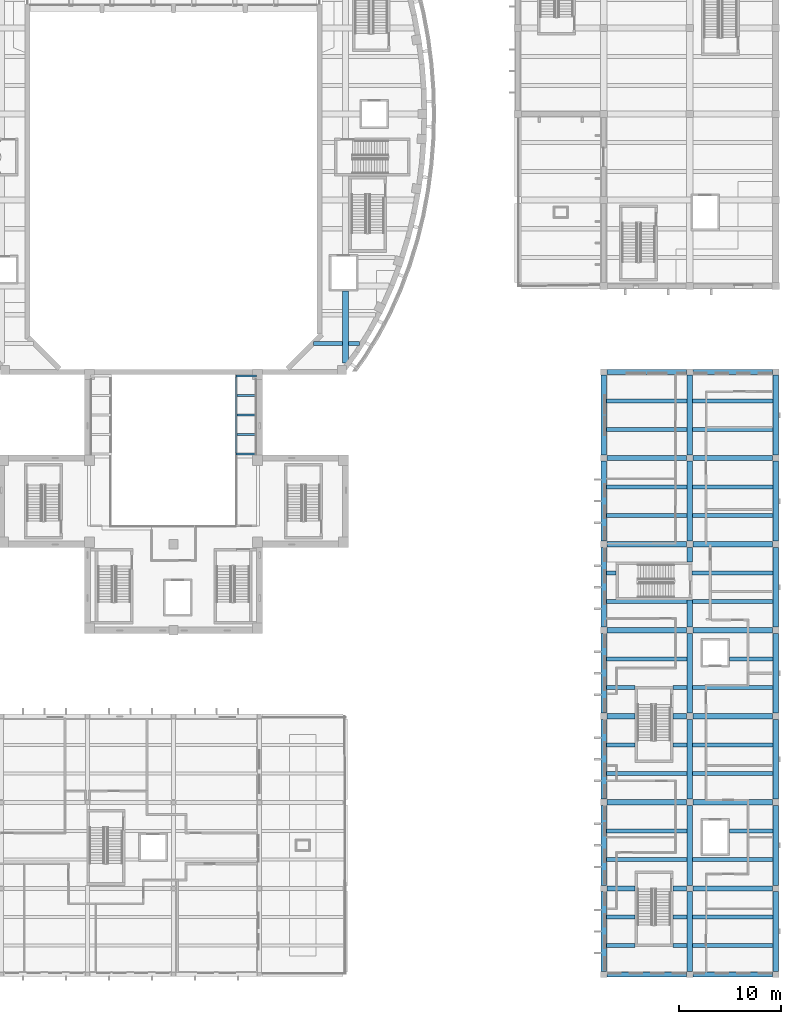
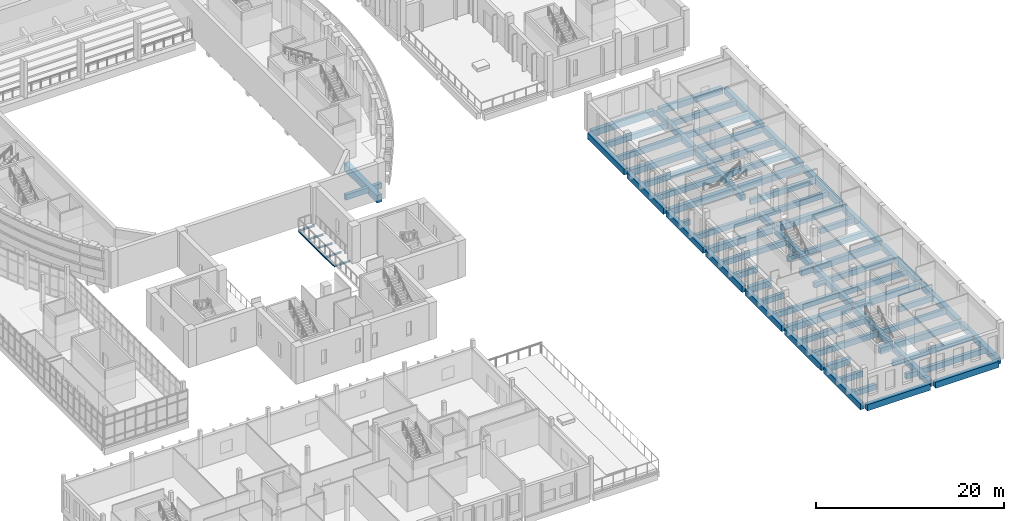
# One storey, part 9 of 103: 81 beams.
"""IFC4 building model written with IfcOpenShell, lengths in metres."""

import ifcopenshell
import ifcopenshell.guid

model = None  # the IFC model being written
_history = None  # IfcOwnerHistory: only IFC2X3 demands one
_inside = {}  # id of a spatial element -> (the spatial element, [elements in it])
_under = {}  # id of a project, library or spatial element -> (it, [spatial elements below it])
_declared = {}  # id of a project -> (the project, [libraries it declares])
_typed = {}  # id of a type object -> (the type object, [elements of that type])
_made_of = {}  # id of a material, layer set ... -> (it, [elements and type objects made of it])


def new_model(schema):
    """Start an empty IFC model of exactly this schema.

    Asked for "IFC4X3", IfcOpenShell would pick the latest addendum, in which some entities
    have other attributes; the version numbers below select the first issue.
    IFC2X3 requires an IfcOwnerHistory on every rooted entity: one is made here for all.
    """
    global model, _history
    if schema == "IFC4X3":
        model = ifcopenshell.file(schema_version=(4, 3, 0, 0))
    else:
        model = ifcopenshell.file(schema=schema)
    _inside.clear()
    _under.clear()
    _declared.clear()
    _typed.clear()
    _made_of.clear()
    _history = None
    if model.schema == "IFC2X3":
        org = make("IfcOrganization", Name="unknown")
        user = make(
            "IfcPersonAndOrganization",
            ThePerson=make("IfcPerson", FamilyName="unknown"),
            TheOrganization=org,
        )
        app = make(
            "IfcApplication",
            ApplicationDeveloper=org,
            Version="unknown",
            ApplicationFullName="unknown",
            ApplicationIdentifier="unknown",
        )
        _history = make(
            "IfcOwnerHistory",
            OwningUser=user,
            OwningApplication=app,
            ChangeAction="ADDED",
            CreationDate=0,
        )
    return model


def make(cls, **values):
    """One entity of the class cls with the attributes given. An attribute that is None is left unset."""
    return model.create_entity(
        cls, **{name: value for name, value in values.items() if value is not None}
    )


def rooted(cls, **values):
    """An entity with a GlobalId (a new one), such as an element, a storey or a relation."""
    return make(cls, GlobalId=ifcopenshell.guid.new(), OwnerHistory=_history, **values)


def si_unit(unit_type, name, prefix=None):
    """IfcSIUnit, for example si_unit("LENGTHUNIT", "METRE", prefix="MILLI")."""
    return make("IfcSIUnit", UnitType=unit_type, Prefix=prefix, Name=name)


def assignment(units):
    """IfcUnitAssignment: the units of a project."""
    return None if units is None else make("IfcUnitAssignment", Units=units)


def point(xyz):
    """IfcCartesianPoint."""
    return None if xyz is None else make("IfcCartesianPoint", Coordinates=xyz)


def direction(xyz):
    """IfcDirection."""
    return None if xyz is None else make("IfcDirection", DirectionRatios=xyz)


def frame(location, z_axis=None, x_axis=None):
    """IfcAxis2Placement3D, a coordinate frame: its origin and axes. An axis left out is left unset."""
    return make(
        "IfcAxis2Placement3D",
        Location=point(location),
        Axis=direction(z_axis),
        RefDirection=direction(x_axis),
    )


def frame_2d(location, x_axis=None):
    """IfcAxis2Placement2D, a coordinate frame in the plane: its origin and x axis."""
    return make(
        "IfcAxis2Placement2D", Location=point(location), RefDirection=direction(x_axis)
    )


def origin():
    """The frame at (0, 0, 0) with its axes left unset."""
    return frame((0.0, 0.0, 0.0))


def origin_2d():
    """The frame at (0, 0) in the plane with its x axis left unset."""
    return frame_2d((0.0, 0.0))


def place(relative_to, where):
    """IfcLocalPlacement: puts the frame where relative to a parent placement (None: the world)."""
    return make(
        "IfcLocalPlacement", PlacementRelTo=relative_to, RelativePlacement=where
    )


def context(
    kind, dimensions, precision=None, world=None, true_north=None, identifier=None
):
    """IfcGeometricRepresentationContext, for example the 3D "Model" context."""
    return make(
        "IfcGeometricRepresentationContext",
        ContextIdentifier=identifier,
        ContextType=kind,
        CoordinateSpaceDimension=dimensions,
        Precision=precision,
        WorldCoordinateSystem=world,
        TrueNorth=true_north,
    )


def subcontext(parent, identifier, kind, view, scale=None):
    """IfcGeometricRepresentationSubContext, for example "Body" below "Model"."""
    return make(
        "IfcGeometricRepresentationSubContext",
        ContextIdentifier=identifier,
        ContextType=kind,
        ParentContext=parent,
        TargetScale=scale,
        TargetView=view,
    )


def project(units=None, contexts=None):
    """IfcProject with its units and contexts."""
    return rooted(
        "IfcProject",
        Name="project",
        RepresentationContexts=contexts,
        UnitsInContext=assignment(units),
    )


def spatial(cls, under=None, at=None, **own):
    """A site, building, storey or space (cls), placed at a placement, below another one or the project."""
    s = rooted(cls, ObjectPlacement=at, **own)
    if under is not None:
        _under.setdefault(under.id(), (under, []))[1].append(s)
    return s


def profile(cls, at=None, kind="AREA", **sizes):
    """A parametric profile (cls). Its sizes go by their IFC names, for example OverallWidth=200.0."""
    return make(cls, ProfileType=kind, Position=at, **sizes)


def rectangle(**sizes):
    """IfcRectangleProfileDef."""
    return profile("IfcRectangleProfileDef", **sizes)


def i_section(**sizes):
    """IfcIShapeProfileDef."""
    return profile("IfcIShapeProfileDef", **sizes)


def extrude(swept, where, along, depth):
    """IfcExtrudedAreaSolid: the profile swept, set in the frame where, extruded along a direction by depth."""
    return make(
        "IfcExtrudedAreaSolid",
        SweptArea=swept,
        Position=where,
        ExtrudedDirection=direction(along),
        Depth=depth,
    )


def shape(context_of_items, identifier, shape_type, items):
    """IfcShapeRepresentation: the items that make up one representation, for example the "Body"."""
    return make(
        "IfcShapeRepresentation",
        ContextOfItems=context_of_items,
        RepresentationIdentifier=identifier,
        RepresentationType=shape_type,
        Items=items,
    )


def material(Name=None, Category=None):
    """IfcMaterial."""
    return make("IfcMaterial", Name=Name, Category=Category)


def material_profile(
    of_material, cross_section, Name=None, Category=None, Priority=None
):
    """IfcMaterialProfile: a cross section and its material."""
    return make(
        "IfcMaterialProfile",
        Name=Name,
        Material=of_material,
        Profile=cross_section,
        Priority=Priority,
        Category=Category,
    )


def profile_set(profiles, Name=None, composite=None):
    """IfcMaterialProfileSet."""
    return make(
        "IfcMaterialProfileSet",
        Name=Name,
        MaterialProfiles=profiles,
        CompositeProfile=composite,
    )


def made_of(thing, what):
    """Note that an element or type object is made of a material, layer set ...; save() writes the relation."""
    if what is not None:
        _made_of.setdefault(what.id(), (what, []))[1].append(thing)
    return thing


def type_object(cls, material=None, **own):
    """A type object (cls), such as IfcWallType, which elements share."""
    return made_of(rooted(cls, **own), material)


def element(
    cls,
    number,
    at=None,
    inside=None,
    cuts=None,
    type_object=None,
    material=None,
    context=None,
    identifier="Body",
    shape_type=None,
    held_by="IfcProductDefinitionShape",
    body=None,
    shapes=None,
    **own,
):
    """One element of the class cls, such as IfcWall. Its Tag is "e" and its number.

    at: its placement. inside: the storey or other place that contains it. cuts: it is an
    opening in that element (IfcRelVoidsElement). A single representation is given by context,
    identifier, shape_type and body (its items); several are given by shapes. held_by: the class
    of the entity that holds the representations. save() writes the other relations.
    """
    e = rooted(cls, Tag="e%d" % number, ObjectPlacement=at, **own)
    if body is not None:
        shapes = [shape(context, identifier, shape_type, body)]
    if shapes is not None:
        e.Representation = make(held_by, Representations=shapes)
    if inside is not None:
        _inside.setdefault(inside.id(), (inside, []))[1].append(e)
    if cuts is not None:
        rooted(
            "IfcRelVoidsElement", RelatingBuildingElement=cuts, RelatedOpeningElement=e
        )
    if type_object is not None:
        _typed.setdefault(type_object.id(), (type_object, []))[1].append(e)
    return made_of(e, material)


def aggregate(whole, parts):
    """IfcRelAggregates: a whole, such as a stair, and the parts it consists of."""
    return rooted("IfcRelAggregates", RelatingObject=whole, RelatedObjects=parts)


def save(model, path):
    """Write the relations noted so far, then the file.

    IfcRelAggregates (storeys below a building ...), IfcRelContainedInSpatialStructure (elements
    in a storey), IfcRelDefinesByType, IfcRelAssociatesMaterial and IfcRelDeclares: one each for
    every whole, place, type object, material and project.
    """
    for whole, parts in _under.values():
        aggregate(whole, parts)
    for where, things in _inside.values():
        rooted(
            "IfcRelContainedInSpatialStructure",
            RelatedElements=things,
            RelatingStructure=where,
        )
    for kind, things in _typed.values():
        rooted("IfcRelDefinesByType", RelatedObjects=things, RelatingType=kind)
    for what, things in _made_of.values():
        rooted("IfcRelAssociatesMaterial", RelatedObjects=things, RelatingMaterial=what)
    for by, libraries in _declared.values():
        rooted("IfcRelDeclares", RelatingContext=by, RelatedDefinitions=libraries)
    model.write(path)


model = new_model("IFC4")

# Units and contexts
model_context = context("Model", 3, precision=1e-05, world=origin(), true_north=direction((0.0, 1.0)))
body_context = subcontext(model_context, "Body", "Model", "MODEL_VIEW")
ifc_project = project(units=[si_unit("LENGTHUNIT", "METRE"), si_unit("AREAUNIT", "SQUARE_METRE"), si_unit("VOLUMEUNIT", "CUBIC_METRE"), si_unit("PLANEANGLEUNIT", "RADIAN"), si_unit("MASSUNIT", "GRAM", prefix="KILO")], contexts=[model_context])

# Site, building, storey
site_placement = place(None, origin())
site = spatial("IfcSite", under=ifc_project, at=site_placement, CompositionType="ELEMENT")
building_placement = place(site_placement, origin())
building = spatial("IfcBuilding", under=site, at=building_placement, Name="Larchfold Concert Hall", CompositionType="ELEMENT")
storey_placement = place(building_placement, frame((0.0, 0.0, 9.60009765625)))
storey = spatial("IfcBuildingStorey", under=building, at=storey_placement, Name="L02", CompositionType="ELEMENT", Elevation=9.60009765625)

# Beams
ifc_material_1 = material(Name="Concrete C35/45", Category="concrete")
ifc_material_profile_1 = material_profile(ifc_material_1, rectangle(XDim=0.39990234375, YDim=0.699951171875, at=origin_2d()))
ifc_profile_set_1 = profile_set([ifc_material_profile_1], Name="Concrete C35/45")
beam_type_1 = type_object("IfcBeamType", Name="Beam RC 400x700", PredefinedType="BEAM", material=ifc_profile_set_1)
beam_1_placement = place(storey_placement, frame((84.85009765625, 3.39990234375, -0.510009765625), z_axis=(1.0, 0.0, 0.0), x_axis=(0.0, 1.0, 0.0)))
element("IfcBeam", 1, at=beam_1_placement, inside=storey, type_object=beam_type_1, Name="Beam B0626", PredefinedType="BEAM", context=body_context, shape_type="SweptSolid", body=[
    extrude(rectangle(XDim=0.39990234375, YDim=0.699951171875, at=origin_2d()), origin(), (0.0, 0.0, 1.0), 2.7998046875),
])
beam_2_placement = place(storey_placement, frame((91.35009765625, 3.39990234375, -0.510009765625), z_axis=(1.0, 0.0, 0.0), x_axis=(0.0, 1.0, 0.0)))
element("IfcBeam", 2, at=beam_2_placement, inside=storey, type_object=beam_type_1, Name="Beam B0627", PredefinedType="BEAM", context=body_context, shape_type="SweptSolid", body=[
    extrude(rectangle(XDim=0.39990234375, YDim=0.699951171875, at=origin_2d()), origin(), (0.0, 0.0, 1.0), 1.39990234375),
])
beam_3_placement = place(storey_placement, frame((93.25, 3.39990234375, -0.510009765625), z_axis=(1.0, 0.0, 0.0), x_axis=(0.0, 1.0, 0.0)))
element("IfcBeam", 3, at=beam_3_placement, inside=storey, type_object=beam_type_1, Name="Beam B0628", PredefinedType="BEAM", context=body_context, shape_type="SweptSolid", body=[
    extrude(rectangle(XDim=0.39990234375, YDim=0.699951171875, at=origin_2d()), origin(), (0.0, 0.0, 1.0), 7.89990234375),
])
beam_4_placement = place(storey_placement, frame((84.85009765625, 6.199951171875, -0.510009765625), z_axis=(1.0, 0.0, 0.0), x_axis=(0.0, 1.0, 0.0)))
element("IfcBeam", 4, at=beam_4_placement, inside=storey, type_object=beam_type_1, Name="Beam B0629", PredefinedType="BEAM", context=body_context, shape_type="SweptSolid", body=[
    extrude(rectangle(XDim=0.39990234375, YDim=0.699951171875, at=origin_2d()), origin(), (0.0, 0.0, 1.0), 2.7998046875),
])
beam_5_placement = place(storey_placement, frame((91.35009765625, 6.199951171875, -0.510009765625), z_axis=(1.0, 0.0, 0.0), x_axis=(0.0, 1.0, 0.0)))
element("IfcBeam", 5, at=beam_5_placement, inside=storey, type_object=beam_type_1, Name="Beam B0630", PredefinedType="BEAM", context=body_context, shape_type="SweptSolid", body=[
    extrude(rectangle(XDim=0.39990234375, YDim=0.699951171875, at=origin_2d()), origin(), (0.0, 0.0, 1.0), 1.39990234375),
])
for number, where, z_axis, x_axis, name in (
    (6, (93.25, 6.199951171875, -0.510009765625), (1.0, 0.0, 0.0), (0.0, 1.0, 0.0), "Beam B0631"),
    (7, (84.85009765625, 11.800048828125, -0.510009765625), (1.0, 0.0, 0.0), (0.0, 1.0, 0.0), "Beam B0632"),
    (8, (93.25, 11.800048828125, -0.510009765625), (1.0, 0.0, 0.0), (0.0, 1.0, 0.0), "Beam B0633"),
    (9, (84.85009765625, 14.60009765625, -0.510009765625), (1.0, 0.0, 0.0), (0.0, 1.0, 0.0), "Beam B0634"),
):
    element("IfcBeam", number, at=place(storey_placement, frame(where, z_axis=z_axis, x_axis=x_axis)), inside=storey, type_object=beam_type_1, Name=name, PredefinedType="BEAM", context=body_context, shape_type="SweptSolid", body=[
        extrude(rectangle(XDim=0.39990234375, YDim=0.699951171875, at=origin_2d()), origin(), (0.0, 0.0, 1.0), 7.89990234375),
    ])
beam_6_placement = place(storey_placement, frame((96.89990234375, 14.60009765625, -0.510009765625), z_axis=(1.0, 0.0, 0.0), x_axis=(0.0, 1.0, 0.0)))
element("IfcBeam", 10, at=beam_6_placement, inside=storey, type_object=beam_type_1, Name="Beam B0635", PredefinedType="BEAM", context=body_context, shape_type="SweptSolid", body=[
    extrude(rectangle(XDim=0.39990234375, YDim=0.699951171875, at=origin_2d()), origin(), (0.0, 0.0, 1.0), 4.25),
])
for number, where, z_axis, x_axis, name in (
    (11, (84.85009765625, 20.199951171875, -0.510009765625), (1.0, 0.0, 0.0), (0.0, 1.0, 0.0), "Beam B0636"),
    (12, (93.25, 20.199951171875, -0.510009765625), (1.0, 0.0, 0.0), (0.0, 1.0, 0.0), "Beam B0637"),
):
    element("IfcBeam", number, at=place(storey_placement, frame(where, z_axis=z_axis, x_axis=x_axis)), inside=storey, type_object=beam_type_1, Name=name, PredefinedType="BEAM", context=body_context, shape_type="SweptSolid", body=[
        extrude(rectangle(XDim=0.39990234375, YDim=0.699951171875, at=origin_2d()), origin(), (0.0, 0.0, 1.0), 7.89990234375),
    ])
beam_7_placement = place(storey_placement, frame((84.85009765625, 23.0, -0.510009765625), z_axis=(1.0, 0.0, 0.0), x_axis=(0.0, 1.0, 0.0)))
element("IfcBeam", 13, at=beam_7_placement, inside=storey, type_object=beam_type_1, Name="Beam B0638", PredefinedType="BEAM", context=body_context, shape_type="SweptSolid", body=[
    extrude(rectangle(XDim=0.39990234375, YDim=0.699951171875, at=origin_2d()), origin(), (0.0, 0.0, 1.0), 2.7998046875),
])
beam_8_placement = place(storey_placement, frame((91.35009765625, 23.0, -0.510009765625), z_axis=(1.0, 0.0, 0.0), x_axis=(0.0, 1.0, 0.0)))
element("IfcBeam", 14, at=beam_8_placement, inside=storey, type_object=beam_type_1, Name="Beam B0639", PredefinedType="BEAM", context=body_context, shape_type="SweptSolid", body=[
    extrude(rectangle(XDim=0.39990234375, YDim=0.699951171875, at=origin_2d()), origin(), (0.0, 0.0, 1.0), 1.39990234375),
])
beam_9_placement = place(storey_placement, frame((93.25, 23.0, -0.510009765625), z_axis=(1.0, 0.0, 0.0), x_axis=(0.0, 1.0, 0.0)))
element("IfcBeam", 15, at=beam_9_placement, inside=storey, type_object=beam_type_1, Name="Beam B0640", PredefinedType="BEAM", context=body_context, shape_type="SweptSolid", body=[
    extrude(rectangle(XDim=0.39990234375, YDim=0.699951171875, at=origin_2d()), origin(), (0.0, 0.0, 1.0), 7.89990234375),
])
beam_10_placement = place(storey_placement, frame((84.85009765625, 28.60009765625, -0.510009765625), z_axis=(1.0, 0.0, 0.0), x_axis=(0.0, 1.0, 0.0)))
element("IfcBeam", 16, at=beam_10_placement, inside=storey, type_object=beam_type_1, Name="Beam B0641", PredefinedType="BEAM", context=body_context, shape_type="SweptSolid", body=[
    extrude(rectangle(XDim=0.39990234375, YDim=0.699951171875, at=origin_2d()), origin(), (0.0, 0.0, 1.0), 2.7998046875),
])
beam_11_placement = place(storey_placement, frame((91.35009765625, 28.60009765625, -0.510009765625), z_axis=(1.0, 0.0, 0.0), x_axis=(0.0, 1.0, 0.0)))
element("IfcBeam", 17, at=beam_11_placement, inside=storey, type_object=beam_type_1, Name="Beam B0642", PredefinedType="BEAM", context=body_context, shape_type="SweptSolid", body=[
    extrude(rectangle(XDim=0.39990234375, YDim=0.699951171875, at=origin_2d()), origin(), (0.0, 0.0, 1.0), 1.39990234375),
])
for number, where, z_axis, x_axis, name in (
    (18, (93.25, 28.60009765625, -0.510009765625), (1.0, 0.0, 0.0), (0.0, 1.0, 0.0), "Beam B0643"),
    (19, (84.85009765625, 31.39990234375, -0.510009765625), (1.0, 0.0, 0.0), (0.0, 1.0, 0.0), "Beam B0644"),
):
    element("IfcBeam", number, at=place(storey_placement, frame(where, z_axis=z_axis, x_axis=x_axis)), inside=storey, type_object=beam_type_1, Name=name, PredefinedType="BEAM", context=body_context, shape_type="SweptSolid", body=[
        extrude(rectangle(XDim=0.39990234375, YDim=0.699951171875, at=origin_2d()), origin(), (0.0, 0.0, 1.0), 7.89990234375),
    ])
beam_12_placement = place(storey_placement, frame((96.89990234375, 31.39990234375, -0.510009765625), z_axis=(1.0, 0.0, 0.0), x_axis=(0.0, 1.0, 0.0)))
element("IfcBeam", 20, at=beam_12_placement, inside=storey, type_object=beam_type_1, Name="Beam B0645", PredefinedType="BEAM", context=body_context, shape_type="SweptSolid", body=[
    extrude(rectangle(XDim=0.39990234375, YDim=0.699951171875, at=origin_2d()), origin(), (0.0, 0.0, 1.0), 4.25),
])
for number, where, z_axis, x_axis, name in (
    (21, (84.85009765625, 37.0, -0.510009765625), (1.0, 0.0, 0.0), (0.0, 1.0, 0.0), "Beam B0646"),
    (22, (93.25, 37.0, -0.510009765625), (1.0, 0.0, 0.0), (0.0, 1.0, 0.0), "Beam B0647"),
):
    element("IfcBeam", number, at=place(storey_placement, frame(where, z_axis=z_axis, x_axis=x_axis)), inside=storey, type_object=beam_type_1, Name=name, PredefinedType="BEAM", context=body_context, shape_type="SweptSolid", body=[
        extrude(rectangle(XDim=0.39990234375, YDim=0.699951171875, at=origin_2d()), origin(), (0.0, 0.0, 1.0), 7.89990234375),
    ])
beam_13_placement = place(storey_placement, frame((84.85009765625, 39.800048828125, -0.510009765625), z_axis=(1.0, 0.0, 0.0), x_axis=(0.0, 1.0, 0.0)))
element("IfcBeam", 23, at=beam_13_placement, inside=storey, type_object=beam_type_1, Name="Beam B0648", PredefinedType="BEAM", context=body_context, shape_type="SweptSolid", body=[
    extrude(rectangle(XDim=0.39990234375, YDim=0.699951171875, at=origin_2d()), origin(), (0.0, 0.0, 1.0), 0.949951171875),
])
beam_14_placement = place(storey_placement, frame((93.199951171875, 39.800048828125, -0.510009765625), z_axis=(1.0, 0.0, 0.0), x_axis=(0.0, 1.0, 0.0)))
element("IfcBeam", 24, at=beam_14_placement, inside=storey, type_object=beam_type_1, Name="Beam B0649", PredefinedType="BEAM", context=body_context, shape_type="SweptSolid", body=[
    extrude(rectangle(XDim=0.39990234375, YDim=0.699951171875, at=origin_2d()), origin(), (0.0, 0.0, 1.0), 7.949951171875),
])
for number, where, z_axis, x_axis, name in (
    (25, (84.85009765625, 45.39990234375, -0.510009765625), (1.0, 0.0, 0.0), (0.0, 1.0, 0.0), "Beam B0650"),
    (26, (93.25, 45.39990234375, -0.510009765625), (1.0, 0.0, 0.0), (0.0, 1.0, 0.0), "Beam B0651"),
    (27, (84.85009765625, 48.199951171875, -0.510009765625), (1.0, 0.0, 0.0), (0.0, 1.0, 0.0), "Beam B0652"),
    (28, (93.25, 48.199951171875, -0.510009765625), (1.0, 0.0, 0.0), (0.0, 1.0, 0.0), "Beam B0653"),
    (29, (84.85009765625, 53.800048828125, -0.510009765625), (1.0, 0.0, 0.0), (0.0, 1.0, 0.0), "Beam B0654"),
    (30, (93.25, 53.800048828125, -0.510009765625), (1.0, 0.0, 0.0), (0.0, 1.0, 0.0), "Beam B0655"),
    (31, (84.85009765625, 56.60009765625, -0.510009765625), (1.0, 0.0, 0.0), (0.0, 1.0, 0.0), "Beam B0656"),
    (32, (93.25, 56.60009765625, -0.510009765625), (1.0, 0.0, 0.0), (0.0, 1.0, 0.0), "Beam B0657"),
):
    element("IfcBeam", number, at=place(storey_placement, frame(where, z_axis=z_axis, x_axis=x_axis)), inside=storey, type_object=beam_type_1, Name=name, PredefinedType="BEAM", context=body_context, shape_type="SweptSolid", body=[
        extrude(rectangle(XDim=0.39990234375, YDim=0.699951171875, at=origin_2d()), origin(), (0.0, 0.0, 1.0), 7.89990234375),
    ])
beam_15_placement = place(storey_placement, frame((56.26416015625, 62.199951171875, -0.550048828125), z_axis=(1.0, 0.0, 0.0), x_axis=(0.0, 1.0, 0.0)))
element("IfcBeam", 33, at=beam_15_placement, inside=storey, type_object=beam_type_1, Name="Beam B1305", PredefinedType="BEAM", context=body_context, shape_type="SweptSolid", body=[
    extrude(rectangle(XDim=0.39990234375, YDim=0.699951171875, at=origin_2d()), origin(), (0.0, 0.0, 1.0), 2.8359375),
])
beam_16_placement = place(storey_placement, frame((59.699951171875, 62.199951171875, -0.550048828125), z_axis=(1.0, 0.0, 0.0), x_axis=(0.0, 1.0, 0.0)))
element("IfcBeam", 34, at=beam_16_placement, inside=storey, type_object=beam_type_1, Name="Beam B1306", PredefinedType="BEAM", context=body_context, shape_type="SweptSolid", body=[
    extrude(rectangle(XDim=0.39990234375, YDim=0.699951171875, at=origin_2d()), origin(), (0.0, 0.0, 1.0), 1.03515625),
])
ifc_material_2 = material(Name="Concrete C35/45", Category="concrete")
ifc_material_profile_2 = material_profile(ifc_material_2, rectangle(XDim=0.5, YDim=0.800048828125, at=origin_2d()))
ifc_profile_set_2 = profile_set([ifc_material_profile_2], Name="Concrete C35/45")
beam_type_2 = type_object("IfcBeamType", Name="Beam RC 500x800", PredefinedType="BEAM", material=ifc_profile_set_2)
for number, where, z_axis, x_axis, name in (
    (35, (84.60009765625, 0.89990234375, -0.56005859375), (0.0, 1.0, 0.0), (-1.0, 0.0, 0.0), "Beam B0586"),
    (36, (84.60009765625, 9.300048828125, -0.56005859375), (0.0, 1.0, 0.0), (-1.0, 0.0, 0.0), "Beam B0587"),
    (37, (84.60009765625, 17.699951171875, -0.56005859375), (0.0, 1.0, 0.0), (-1.0, 0.0, 0.0), "Beam B0588"),
):
    element("IfcBeam", number, at=place(storey_placement, frame(where, z_axis=z_axis, x_axis=x_axis)), inside=storey, type_object=beam_type_2, Name=name, PredefinedType="BEAM", context=body_context, shape_type="SweptSolid", body=[
        extrude(rectangle(XDim=0.5, YDim=0.800048828125, at=origin_2d()), origin(), (0.0, 0.0, 1.0), 7.800048828125),
    ])
beam_17_placement = place(storey_placement, frame((84.60009765625, 26.10009765625, -0.56005859375), z_axis=(0.0, 1.0, 0.0), x_axis=(-1.0, 0.0, 0.0)))
element("IfcBeam", 38, at=beam_17_placement, inside=storey, type_object=beam_type_2, Name="Beam B0589", PredefinedType="BEAM", context=body_context, shape_type="SweptSolid", body=[
    extrude(rectangle(XDim=0.5, YDim=0.800048828125, at=origin_2d()), origin(), (0.0, 0.0, 1.0), 7.7998046875),
])
for number, where, z_axis, x_axis, name in (
    (39, (84.60009765625, 34.5, -0.56005859375), (0.0, 1.0, 0.0), (-1.0, 0.0, 0.0), "Beam B0590"),
    (40, (84.60009765625, 42.89990234375, -0.56005859375), (0.0, 1.0, 0.0), (-1.0, 0.0, 0.0), "Beam B0591"),
    (41, (84.60009765625, 51.300048828125, -0.56005859375), (0.0, 1.0, 0.0), (-1.0, 0.0, 0.0), "Beam B0592"),
    (42, (93.0, 0.89990234375, -0.56005859375), (0.0, 1.0, 0.0), (-1.0, 0.0, 0.0), "Beam B0593"),
    (43, (93.0, 9.300048828125, -0.56005859375), (0.0, 1.0, 0.0), (-1.0, 0.0, 0.0), "Beam B0594"),
    (44, (93.0, 17.699951171875, -0.56005859375), (0.0, 1.0, 0.0), (-1.0, 0.0, 0.0), "Beam B0595"),
):
    element("IfcBeam", number, at=place(storey_placement, frame(where, z_axis=z_axis, x_axis=x_axis)), inside=storey, type_object=beam_type_2, Name=name, PredefinedType="BEAM", context=body_context, shape_type="SweptSolid", body=[
        extrude(rectangle(XDim=0.5, YDim=0.800048828125, at=origin_2d()), origin(), (0.0, 0.0, 1.0), 7.800048828125),
    ])
beam_18_placement = place(storey_placement, frame((93.0, 26.10009765625, -0.56005859375), z_axis=(0.0, 1.0, 0.0), x_axis=(-1.0, 0.0, 0.0)))
element("IfcBeam", 45, at=beam_18_placement, inside=storey, type_object=beam_type_2, Name="Beam B0596", PredefinedType="BEAM", context=body_context, shape_type="SweptSolid", body=[
    extrude(rectangle(XDim=0.5, YDim=0.800048828125, at=origin_2d()), origin(), (0.0, 0.0, 1.0), 7.7998046875),
])
beam_19_placement = place(storey_placement, frame((93.0, 34.5, -0.56005859375), z_axis=(0.0, 1.0, 0.0), x_axis=(-1.0, 0.0, 0.0)))
element("IfcBeam", 46, at=beam_19_placement, inside=storey, type_object=beam_type_2, Name="Beam B0597", PredefinedType="BEAM", context=body_context, shape_type="SweptSolid", body=[
    extrude(rectangle(XDim=0.5, YDim=0.800048828125, at=origin_2d()), origin(), (0.0, 0.0, 1.0), 2.64990234375),
])
beam_20_placement = place(storey_placement, frame((93.0, 40.85009765625, -0.56005859375), z_axis=(0.0, 1.0, 0.0), x_axis=(-1.0, 0.0, 0.0)))
element("IfcBeam", 47, at=beam_20_placement, inside=storey, type_object=beam_type_2, Name="Beam B0598", PredefinedType="BEAM", context=body_context, shape_type="SweptSolid", body=[
    extrude(rectangle(XDim=0.5, YDim=0.800048828125, at=origin_2d()), origin(), (0.0, 0.0, 1.0), 1.449951171875),
])
for number, where, z_axis, x_axis, name in (
    (48, (93.0, 42.89990234375, -0.56005859375), (0.0, 1.0, 0.0), (-1.0, 0.0, 0.0), "Beam B0599"),
    (49, (93.0, 51.300048828125, -0.56005859375), (0.0, 1.0, 0.0), (-1.0, 0.0, 0.0), "Beam B0600"),
    (50, (101.39990234375, 0.89990234375, -0.56005859375), (0.0, 1.0, 0.0), (-1.0, 0.0, 0.0), "Beam B0601"),
    (51, (101.39990234375, 9.300048828125, -0.56005859375), (0.0, 1.0, 0.0), (-1.0, 0.0, 0.0), "Beam B0602"),
    (52, (101.39990234375, 17.699951171875, -0.56005859375), (0.0, 1.0, 0.0), (-1.0, 0.0, 0.0), "Beam B0603"),
):
    element("IfcBeam", number, at=place(storey_placement, frame(where, z_axis=z_axis, x_axis=x_axis)), inside=storey, type_object=beam_type_2, Name=name, PredefinedType="BEAM", context=body_context, shape_type="SweptSolid", body=[
        extrude(rectangle(XDim=0.5, YDim=0.800048828125, at=origin_2d()), origin(), (0.0, 0.0, 1.0), 7.800048828125),
    ])
beam_21_placement = place(storey_placement, frame((101.39990234375, 26.10009765625, -0.56005859375), z_axis=(0.0, 1.0, 0.0), x_axis=(-1.0, 0.0, 0.0)))
element("IfcBeam", 53, at=beam_21_placement, inside=storey, type_object=beam_type_2, Name="Beam B0604", PredefinedType="BEAM", context=body_context, shape_type="SweptSolid", body=[
    extrude(rectangle(XDim=0.5, YDim=0.800048828125, at=origin_2d()), origin(), (0.0, 0.0, 1.0), 7.7998046875),
])
for number, where, z_axis, x_axis, name in (
    (54, (101.39990234375, 34.5, -0.56005859375), (0.0, 1.0, 0.0), (-1.0, 0.0, 0.0), "Beam B0605"),
    (55, (101.39990234375, 42.89990234375, -0.56005859375), (0.0, 1.0, 0.0), (-1.0, 0.0, 0.0), "Beam B0606"),
    (56, (101.39990234375, 51.300048828125, -0.56005859375), (0.0, 1.0, 0.0), (-1.0, 0.0, 0.0), "Beam B0607"),
    (57, (84.89990234375, 0.60009765625, -0.56005859375), (1.0, 0.0, 0.0), (0.0, 1.0, 0.0), "Beam B0608"),
    (58, (93.300048828125, 0.60009765625, -0.56005859375), (1.0, 0.0, 0.0), (0.0, 1.0, 0.0), "Beam B0609"),
):
    element("IfcBeam", number, at=place(storey_placement, frame(where, z_axis=z_axis, x_axis=x_axis)), inside=storey, type_object=beam_type_2, Name=name, PredefinedType="BEAM", context=body_context, shape_type="SweptSolid", body=[
        extrude(rectangle(XDim=0.5, YDim=0.800048828125, at=origin_2d()), origin(), (0.0, 0.0, 1.0), 7.800048828125),
    ])
beam_22_placement = place(storey_placement, frame((84.89990234375, 9.0, -0.56005859375), z_axis=(1.0, 0.0, 0.0), x_axis=(0.0, 1.0, 0.0)))
element("IfcBeam", 59, at=beam_22_placement, inside=storey, type_object=beam_type_2, Name="Beam B0610", PredefinedType="BEAM", context=body_context, shape_type="SweptSolid", body=[
    extrude(rectangle(XDim=0.5, YDim=0.800048828125, at=origin_2d()), origin(), (0.0, 0.0, 1.0), 2.75),
])
beam_23_placement = place(storey_placement, frame((91.35009765625, 9.0, -0.56005859375), z_axis=(1.0, 0.0, 0.0), x_axis=(0.0, 1.0, 0.0)))
element("IfcBeam", 60, at=beam_23_placement, inside=storey, type_object=beam_type_2, Name="Beam B0611", PredefinedType="BEAM", context=body_context, shape_type="SweptSolid", body=[
    extrude(rectangle(XDim=0.5, YDim=0.800048828125, at=origin_2d()), origin(), (0.0, 0.0, 1.0), 1.349853515625),
])
for number, where, z_axis, x_axis, name in (
    (61, (93.300048828125, 9.0, -0.56005859375), (1.0, 0.0, 0.0), (0.0, 1.0, 0.0), "Beam B0612"),
    (62, (84.89990234375, 17.39990234375, -0.56005859375), (1.0, 0.0, 0.0), (0.0, 1.0, 0.0), "Beam B0613"),
    (63, (93.300048828125, 17.39990234375, -0.56005859375), (1.0, 0.0, 0.0), (0.0, 1.0, 0.0), "Beam B0614"),
):
    element("IfcBeam", number, at=place(storey_placement, frame(where, z_axis=z_axis, x_axis=x_axis)), inside=storey, type_object=beam_type_2, Name=name, PredefinedType="BEAM", context=body_context, shape_type="SweptSolid", body=[
        extrude(rectangle(XDim=0.5, YDim=0.800048828125, at=origin_2d()), origin(), (0.0, 0.0, 1.0), 7.800048828125),
    ])
beam_24_placement = place(storey_placement, frame((84.89990234375, 25.800048828125, -0.56005859375), z_axis=(1.0, 0.0, 0.0), x_axis=(0.0, 1.0, 0.0)))
element("IfcBeam", 64, at=beam_24_placement, inside=storey, type_object=beam_type_2, Name="Beam B0615", PredefinedType="BEAM", context=body_context, shape_type="SweptSolid", body=[
    extrude(rectangle(XDim=0.5, YDim=0.800048828125, at=origin_2d()), origin(), (0.0, 0.0, 1.0), 2.75),
])
beam_25_placement = place(storey_placement, frame((91.35009765625, 25.800048828125, -0.56005859375), z_axis=(1.0, 0.0, 0.0), x_axis=(0.0, 1.0, 0.0)))
element("IfcBeam", 65, at=beam_25_placement, inside=storey, type_object=beam_type_2, Name="Beam B0616", PredefinedType="BEAM", context=body_context, shape_type="SweptSolid", body=[
    extrude(rectangle(XDim=0.5, YDim=0.800048828125, at=origin_2d()), origin(), (0.0, 0.0, 1.0), 1.349853515625),
])
for number, where, z_axis, x_axis, name in (
    (66, (93.300048828125, 25.800048828125, -0.56005859375), (1.0, 0.0, 0.0), (0.0, 1.0, 0.0), "Beam B0617"),
    (67, (84.89990234375, 34.199951171875, -0.56005859375), (1.0, 0.0, 0.0), (0.0, 1.0, 0.0), "Beam B0618"),
    (68, (93.300048828125, 34.199951171875, -0.56005859375), (1.0, 0.0, 0.0), (0.0, 1.0, 0.0), "Beam B0619"),
    (69, (84.89990234375, 42.60009765625, -0.56005859375), (1.0, 0.0, 0.0), (0.0, 1.0, 0.0), "Beam B0620"),
    (70, (93.300048828125, 42.60009765625, -0.56005859375), (1.0, 0.0, 0.0), (0.0, 1.0, 0.0), "Beam B0621"),
    (71, (84.89990234375, 51.0, -0.56005859375), (1.0, 0.0, 0.0), (0.0, 1.0, 0.0), "Beam B0622"),
    (72, (93.300048828125, 51.0, -0.56005859375), (1.0, 0.0, 0.0), (0.0, 1.0, 0.0), "Beam B0623"),
    (73, (84.89990234375, 59.39990234375, -0.56005859375), (1.0, 0.0, 0.0), (0.0, 1.0, 0.0), "Beam B0624"),
    (74, (93.300048828125, 59.39990234375, -0.56005859375), (1.0, 0.0, 0.0), (0.0, 1.0, 0.0), "Beam B0625"),
):
    element("IfcBeam", number, at=place(storey_placement, frame(where, z_axis=z_axis, x_axis=x_axis)), inside=storey, type_object=beam_type_2, Name=name, PredefinedType="BEAM", context=body_context, shape_type="SweptSolid", body=[
        extrude(rectangle(XDim=0.5, YDim=0.800048828125, at=origin_2d()), origin(), (0.0, 0.0, 1.0), 7.800048828125),
    ])
ifc_material_3 = material(Name="Concrete C35/45", Category="concrete")
ifc_material_profile_3 = material_profile(ifc_material_3, rectangle(XDim=0.60009765625, YDim=1.0, at=origin_2d()))
ifc_profile_set_3 = profile_set([ifc_material_profile_3], Name="Concrete C35/45")
beam_type_3 = type_object("IfcBeamType", Name="Beam RC 600x1000", PredefinedType="BEAM", material=ifc_profile_set_3)
beam_26_placement = place(storey_placement, frame((59.39990234375, 60.27099609375, -0.7001953125), z_axis=(0.0, 1.0, 0.0), x_axis=(-1.0, 0.0, 0.0)))
element("IfcBeam", 75, at=beam_26_placement, inside=storey, type_object=beam_type_3, Name="Beam B1277", PredefinedType="BEAM", context=body_context, shape_type="SweptSolid", body=[
    extrude(rectangle(XDim=0.60009765625, YDim=1.0, at=origin_2d()), origin(), (0.0, 0.0, 1.0), 7.029052734375),
])
ifc_material_4 = material(Name="Steel S355", Category="steel")
ifc_material_profile_4 = material_profile(ifc_material_4, i_section(OverallWidth=0.159912109375, OverallDepth=0.152099609375, WebThickness=0.006103515625, FlangeThickness=0.009033203125, FilletRadius=0.014892578125, at=origin_2d()))
ifc_profile_set_4 = profile_set([ifc_material_profile_4], Name="Steel S355")
beam_type_4 = type_object("IfcBeamType", Name="Steel beam HEA 160", PredefinedType="BEAM", material=ifc_profile_set_4)
beam_27_placement = place(storey_placement, frame((48.699951171875, 51.5, -0.356201171875), z_axis=(0.0, 1.0, 0.0), x_axis=(-1.0, 0.0, 0.0)))
element("IfcBeam", 76, at=beam_27_placement, inside=storey, type_object=beam_type_4, Name="Beam GLE2F", PredefinedType="BEAM", context=body_context, shape_type="SweptSolid", body=[
    extrude(i_section(OverallWidth=0.159912109375, OverallDepth=0.152099609375, WebThickness=0.006103515625, FlangeThickness=0.009033203125, FilletRadius=0.014892578125, at=origin_2d()), origin(), (0.0, 0.0, 1.0), 7.39990234375),
])
ifc_material_5 = material(Name="Steel S355", Category="steel")
ifc_material_profile_5 = material_profile(ifc_material_5, i_section(OverallWidth=0.199951171875, OverallDepth=0.199951171875, WebThickness=0.009033203125, FlangeThickness=0.014892578125, FilletRadius=0.01806640625, at=origin_2d()))
ifc_profile_set_5 = profile_set([ifc_material_profile_5], Name="Steel S355")
beam_type_5 = type_object("IfcBeamType", Name="Steel beam HEB 200", PredefinedType="BEAM", material=ifc_profile_set_5)
beam_28_placement = place(storey_placement, frame((50.699951171875, 51.39990234375, -0.380126953125), z_axis=(-1.0, 0.0, 0.0), x_axis=(0.0, -1.0, 0.0)))
element("IfcBeam", 77, at=beam_28_placement, inside=storey, type_object=beam_type_5, Name="Beam GLE21", PredefinedType="BEAM", context=body_context, shape_type="SweptSolid", body=[
    extrude(i_section(OverallWidth=0.199951171875, OverallDepth=0.199951171875, WebThickness=0.009033203125, FlangeThickness=0.014892578125, FilletRadius=0.01806640625, at=origin_2d()), origin(), (0.0, 0.0, 1.0), 2.0),
])
for number, where, z_axis, x_axis, name in (
    (78, (50.699951171875, 53.300048828125, -0.380126953125), (-1.0, 0.0, 0.0), (0.0, -1.0, 0.0), "Beam GLE22"),
    (79, (50.699951171875, 55.199951171875, -0.380126953125), (-1.0, 0.0, 0.0), (0.0, -1.0, 0.0), "Beam GLE23"),
    (80, (50.699951171875, 57.10009765625, -0.380126953125), (-1.0, 0.0, 0.0), (0.0, -1.0, 0.0), "Beam GLE24"),
):
    element("IfcBeam", number, at=place(storey_placement, frame(where, z_axis=z_axis, x_axis=x_axis)), inside=storey, type_object=beam_type_5, Name=name, PredefinedType="BEAM", context=body_context, shape_type="SweptSolid", body=[
        extrude(i_section(OverallWidth=0.199951171875, OverallDepth=0.199951171875, WebThickness=0.009033203125, FlangeThickness=0.014892578125, FilletRadius=0.01806640625, at=origin_2d()), origin(), (0.0, 0.0, 1.0), 1.919921875),
    ])
beam_29_placement = place(storey_placement, frame((50.699951171875, 59.0, -0.380126953125), z_axis=(-1.0, 0.0, 0.0), x_axis=(0.0, -1.0, 0.0)))
element("IfcBeam", 81, at=beam_29_placement, inside=storey, type_object=beam_type_5, Name="Beam GLE25", PredefinedType="BEAM", context=body_context, shape_type="SweptSolid", body=[
    extrude(i_section(OverallWidth=0.199951171875, OverallDepth=0.199951171875, WebThickness=0.009033203125, FlangeThickness=0.014892578125, FilletRadius=0.01806640625, at=origin_2d()), origin(), (0.0, 0.0, 1.0), 2.0),
])

save(model, "model.ifc")
